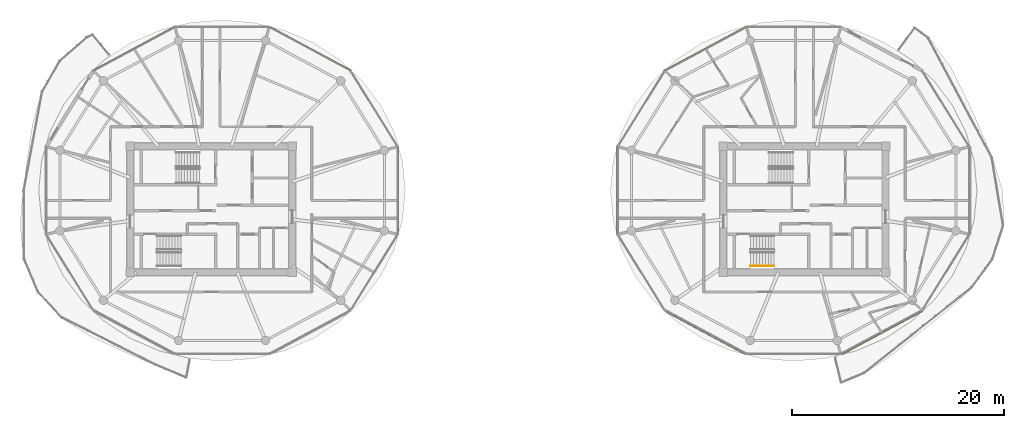
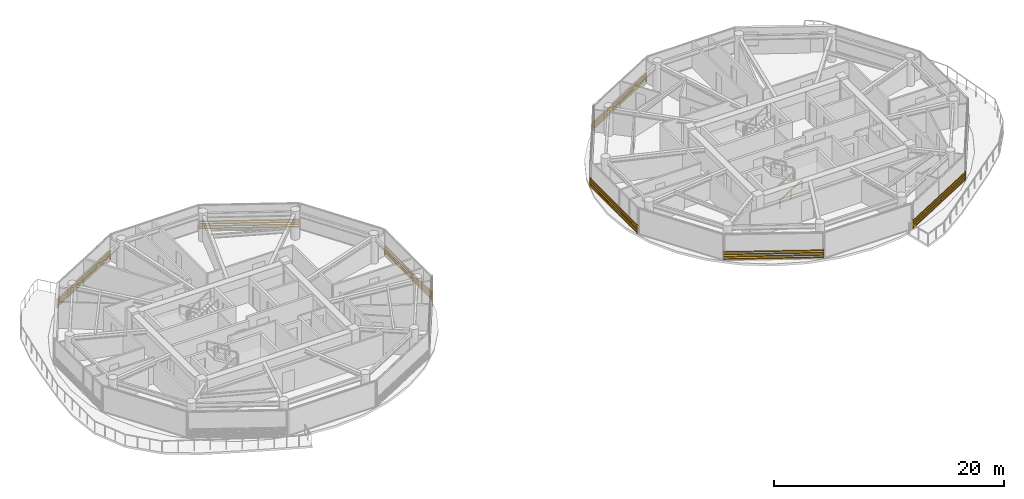
# One storey, part 21 of 23: 7 shading devices, 1 railing.
"""IFC4 building model written with IfcOpenShell, lengths in metres."""

from ifc_helpers import new_model, si_unit, direction, frame, origin, origin_2d, place, context, subcontext, project, spatial, rectangle, extrude, source, transform, mapped, material, type_object, type_shapes, element, save


model = new_model("IFC4")

# Units and contexts
model_context = context("Model", 3, precision=1e-05, world=origin(), true_north=direction((0.0, 1.0)))
body_context = subcontext(model_context, "Body", "Model", "MODEL_VIEW")
ifc_project = project(units=[si_unit("LENGTHUNIT", "METRE"), si_unit("AREAUNIT", "SQUARE_METRE"), si_unit("VOLUMEUNIT", "CUBIC_METRE"), si_unit("PLANEANGLEUNIT", "RADIAN"), si_unit("MASSUNIT", "GRAM", prefix="KILO")], contexts=[model_context])

# Site, building, storey
site_placement = place(None, origin())
site = spatial("IfcSite", under=ifc_project, at=site_placement, CompositionType="ELEMENT")
building_placement = place(site_placement, origin())
building = spatial("IfcBuilding", under=site, at=building_placement, Name="Norrkilde Senior Care Towers", CompositionType="ELEMENT")
storey_placement = place(building_placement, frame((0.0, 0.0, 164.800048828125)))
storey = spatial("IfcBuildingStorey", under=building, at=storey_placement, Name="L51", CompositionType="ELEMENT", Elevation=164.800048828125)

# Railing
ifc_material_1 = material(Name="Nordic Ash Timber", Category="wood")
railing_type = type_object("IfcRailingType", Name="Wall and Stair Handrail 900", PredefinedType="HANDRAIL", material=ifc_material_1)
railing_placement = place(storey_placement, frame((22.89990234375, -5.35009765625, 0.16943359375)))
element("IfcRailing", 1, at=railing_placement, inside=storey, type_object=railing_type, Name="L51 ST-E2 stair handrail 1", PredefinedType="HANDRAIL", context=body_context, shape_type="SweptSolid", body=[
    extrude(rectangle(XDim=0.048095703125, YDim=0.048095703125, at=origin_2d()), frame((0.0, 0.0, 0.8759765625), z_axis=(0.855553338991, 0.0, 0.51771467445), x_axis=(0.0, 1.0, 0.0)), (0.0, 0.0, 1.0), 2.6181640625),
    extrude(rectangle(XDim=0.0419921875, YDim=0.0419921875, at=origin_2d()), origin(), (0.0, 0.0, 1.0), 0.849853515625),
    extrude(rectangle(XDim=0.0419921875, YDim=0.0419921875, at=origin_2d()), frame((1.1201171875, 0.0, 0.677734375)), (0.0, 0.0, 1.0), 0.849853515625),
    extrude(rectangle(XDim=0.0419921875, YDim=0.0419921875, at=origin_2d()), frame((2.239990234375, 0.0, 1.35546875)), (0.0, 0.0, 1.0), 0.849853515625),
])

# Shading devices
ifc_material_2 = material(Name="Architectural Terracotta", Category="masonry")
shading_device_type = type_object("IfcShadingDeviceType", Name="Horizontal Terracotta Baguette Rack", PredefinedType="USERDEFINED", material=ifc_material_2)
shared_shape_1 = source(origin(), body_context, "Body", "SweptSolid", [
    extrude(rectangle(XDim=0.070068359375, YDim=0.110107421875, at=origin_2d()), frame((0.0, 0.090087890625, 0.125), z_axis=(1.0, 0.0, 0.0), x_axis=(0.0, 1.0, 0.0)), (0.0, 0.0, 1.0), 8.741943359375),
    extrude(rectangle(XDim=0.070068359375, YDim=0.110107421875, at=origin_2d()), frame((0.0, 0.090087890625, 0.375), z_axis=(1.0, 0.0, 0.0), x_axis=(0.0, 1.0, 0.0)), (0.0, 0.0, 1.0), 8.741943359375),
    extrude(rectangle(XDim=0.070068359375, YDim=0.110107421875, at=origin_2d()), frame((0.0, 0.090087890625, 0.625), z_axis=(1.0, 0.0, 0.0), x_axis=(0.0, 1.0, 0.0)), (0.0, 0.0, 1.0), 8.741943359375),
    extrude(rectangle(XDim=0.070068359375, YDim=0.110107421875, at=origin_2d()), frame((0.0, 0.090087890625, 0.875), z_axis=(1.0, 0.0, 0.0), x_axis=(0.0, 1.0, 0.0)), (0.0, 0.0, 1.0), 8.741943359375),
    extrude(rectangle(XDim=0.050048828125, YDim=0.1552734375, at=origin_2d()), frame((0.02490234375, 0.047607421875, 0.0)), (0.0, 0.0, 1.0), 1.0),
    extrude(rectangle(XDim=0.050048828125, YDim=0.1552734375, at=origin_2d()), frame((8.716796875, 0.047607421875, 0.0)), (0.0, 0.0, 1.0), 1.0),
])
for number, where, z_axis, x_axis, name in (
    (2, (-22.528564453125, 17.2109375, 0.079833984375), (0.0, 0.0, 1.0), (0.881000921608, -0.473119781048, 0.0), "L51 Drum W Terracotta Baguette Screen 01"),
    (3, (14.826904296875, 13.074951171875, 0.079833984375), (0.0, 0.0, 1.0), (0.881000921608, 0.473119781048, 0.0), "L51 Drum E Terracotta Baguette Screen 03"),
    (4, (22.528564453125, -13.66015625, 0.079833984375), (0.0, 0.0, 1.0), (-0.881000921608, 0.473119781048, 0.0), "L51 Drum E Terracotta Baguette Screen 07"),
):
    element("IfcShadingDevice", number, at=place(storey_placement, frame(where, z_axis=z_axis, x_axis=x_axis)), inside=storey, type_object=shading_device_type, Name=name, ObjectType="BAGUETTE", PredefinedType="USERDEFINED", context=body_context, shape_type="MappedRepresentation", body=[
        mapped(shared_shape_1, transform((0.0, 0.0, 0.0), x_axis=(1.0, 0.0, 0.0), y_axis=(0.0, 1.0, 0.0), z_axis=(0.0, 0.0, 1.0), scale=1.0)),
    ])
shared_shape_2 = source(origin(), body_context, "Body", "SweptSolid", [
    extrude(rectangle(XDim=0.070068359375, YDim=0.110107421875, at=origin_2d()), frame((0.0, 0.090087890625, 0.125), z_axis=(1.0, 0.0, 0.0), x_axis=(0.0, 1.0, 0.0)), (0.0, 0.0, 1.0), 8.74169921875),
    extrude(rectangle(XDim=0.070068359375, YDim=0.110107421875, at=origin_2d()), frame((0.0, 0.090087890625, 0.375), z_axis=(1.0, 0.0, 0.0), x_axis=(0.0, 1.0, 0.0)), (0.0, 0.0, 1.0), 8.74169921875),
    extrude(rectangle(XDim=0.070068359375, YDim=0.110107421875, at=origin_2d()), frame((0.0, 0.090087890625, 0.625), z_axis=(1.0, 0.0, 0.0), x_axis=(0.0, 1.0, 0.0)), (0.0, 0.0, 1.0), 8.74169921875),
    extrude(rectangle(XDim=0.070068359375, YDim=0.110107421875, at=origin_2d()), frame((0.0, 0.090087890625, 0.875), z_axis=(1.0, 0.0, 0.0), x_axis=(0.0, 1.0, 0.0)), (0.0, 0.0, 1.0), 8.74169921875),
    extrude(rectangle(XDim=0.050048828125, YDim=0.1552734375, at=origin_2d()), frame((0.02490234375, 0.047607421875, 0.0)), (0.0, 0.0, 1.0), 1.0),
    extrude(rectangle(XDim=0.050048828125, YDim=0.1552734375, at=origin_2d()), frame((8.716796875, 0.047607421875, 0.0)), (0.0, 0.0, 1.0), 1.0),
])
for number, where, z_axis, x_axis, name in (
    (5, (-39.123046875, 13.074951171875, 0.079833984375), (0.0, 0.0, 1.0), (0.880997598168, 0.47313299447, 0.0), "L51 Drum W Terracotta Baguette Screen 03"),
    (6, (39.123046875, -9.524169921875, 0.079833984375), (0.0, 0.0, 1.0), (-0.880997598168, -0.47313299447, 0.0), "L51 Drum E Terracotta Baguette Screen 09"),
):
    element("IfcShadingDevice", number, at=place(storey_placement, frame(where, z_axis=z_axis, x_axis=x_axis)), inside=storey, type_object=shading_device_type, Name=name, ObjectType="BAGUETTE", PredefinedType="USERDEFINED", context=body_context, shape_type="MappedRepresentation", body=[
        mapped(shared_shape_2, transform((0.0, 0.0, 0.0), x_axis=(1.0, 0.0, 0.0), y_axis=(0.0, 1.0, 0.0), z_axis=(0.0, 0.0, 1.0), scale=1.0)),
    ])
shared_shape_3 = source(origin(), body_context, "Body", "SweptSolid", [
    extrude(rectangle(XDim=0.070068359375, YDim=0.110107421875, at=origin_2d()), frame((0.0, 0.090087890625, 0.125), z_axis=(1.0, 0.0, 0.0), x_axis=(0.0, 1.0, 0.0)), (0.0, 0.0, 1.0), 8.27197265625),
    extrude(rectangle(XDim=0.070068359375, YDim=0.110107421875, at=origin_2d()), frame((0.0, 0.090087890625, 0.375), z_axis=(1.0, 0.0, 0.0), x_axis=(0.0, 1.0, 0.0)), (0.0, 0.0, 1.0), 8.27197265625),
    extrude(rectangle(XDim=0.070068359375, YDim=0.110107421875, at=origin_2d()), frame((0.0, 0.090087890625, 0.625), z_axis=(1.0, 0.0, 0.0), x_axis=(0.0, 1.0, 0.0)), (0.0, 0.0, 1.0), 8.27197265625),
    extrude(rectangle(XDim=0.070068359375, YDim=0.110107421875, at=origin_2d()), frame((0.0, 0.090087890625, 0.875), z_axis=(1.0, 0.0, 0.0), x_axis=(0.0, 1.0, 0.0)), (0.0, 0.0, 1.0), 8.27197265625),
    extrude(rectangle(XDim=0.050048828125, YDim=0.1552734375, at=origin_2d()), frame((0.02490234375, 0.047607421875, 0.0)), (0.0, 0.0, 1.0), 1.0),
    extrude(rectangle(XDim=0.050048828125, YDim=0.1552734375, at=origin_2d()), frame((8.2470703125, 0.047607421875, 0.0)), (0.0, 0.0, 1.0), 1.0),
])
type_shapes(shading_device_type, [shared_shape_1, shared_shape_2, shared_shape_3])
for number, where, z_axis, x_axis, name in (
    (7, (-10.38037109375, 5.911376953125, 0.079833984375), (0.0, 0.0, 1.0), (0.0, -1.0, 0.0), "L51 Drum W Terracotta Baguette Screen 11"),
    (8, (10.38037109375, -2.360595703125, 0.079833984375), (0.0, 0.0, 1.0), (0.0, 1.0, 0.0), "L51 Drum E Terracotta Baguette Screen 05"),
):
    element("IfcShadingDevice", number, at=place(storey_placement, frame(where, z_axis=z_axis, x_axis=x_axis)), inside=storey, type_object=shading_device_type, Name=name, ObjectType="BAGUETTE", PredefinedType="USERDEFINED", context=body_context, shape_type="MappedRepresentation", body=[
        mapped(shared_shape_3, transform((0.0, 0.0, 0.0), x_axis=(1.0, 0.0, 0.0), y_axis=(0.0, 1.0, 0.0), z_axis=(0.0, 0.0, 1.0), scale=1.0)),
    ])

save(model, "model.ifc")
